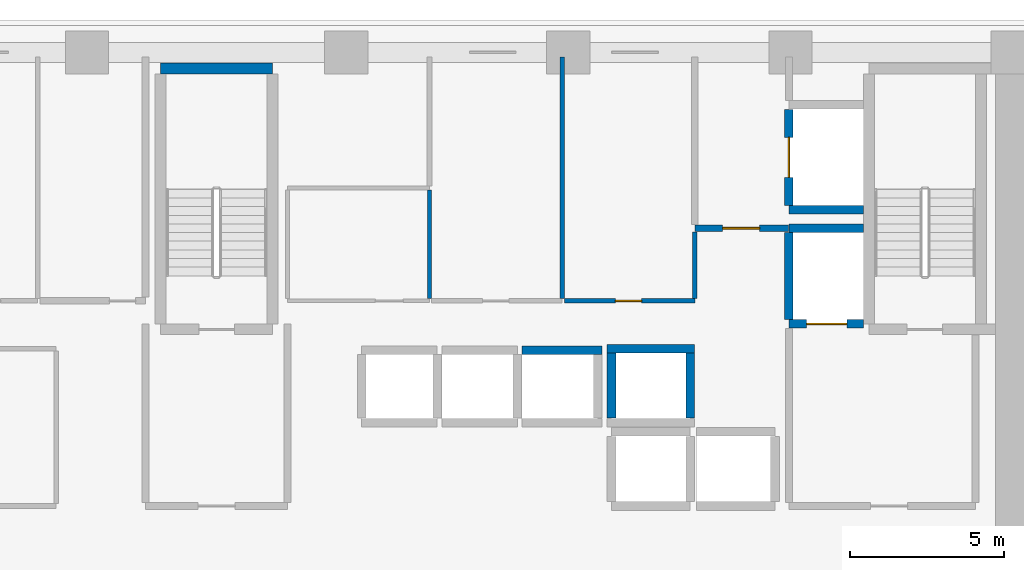
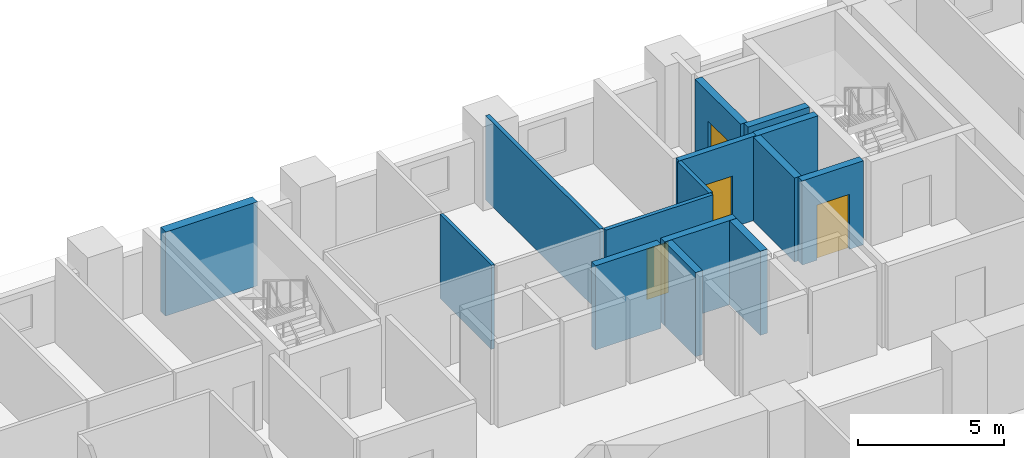
# One storey, part 8 of 15: 15 walls, 4 doors, 4 openings.
"""IFC4 building model written with IfcOpenShell, lengths in metres."""

from ifc_helpers import new_model, si_unit, direction, frame, frame_2d, origin, place, context, subcontext, project, spatial, rectangle, extrude, material, layer, layer_set, type_object, element, fill, save


model = new_model("IFC4")

# Units and contexts
model_context = context("Model", 3, precision=1e-05, world=origin(), true_north=direction((0.0, 1.0)))
body_context = subcontext(model_context, "Body", "Model", "MODEL_VIEW")
ifc_project = project(units=[si_unit("LENGTHUNIT", "METRE"), si_unit("AREAUNIT", "SQUARE_METRE"), si_unit("VOLUMEUNIT", "CUBIC_METRE"), si_unit("PLANEANGLEUNIT", "RADIAN"), si_unit("MASSUNIT", "GRAM", prefix="KILO")], contexts=[model_context])

# Site, building, storey
site_placement = place(None, origin())
site = spatial("IfcSite", under=ifc_project, at=site_placement, CompositionType="ELEMENT")
building_placement = place(site_placement, origin())
building = spatial("IfcBuilding", under=site, at=building_placement, Name="Kaelvorn Grand Hotel", CompositionType="ELEMENT")
storey_placement = place(building_placement, frame((0.0, 0.0, 72.64990234375)))
storey = spatial("IfcBuildingStorey", under=building, at=storey_placement, Name="L16", CompositionType="ELEMENT", Elevation=72.64990234375)

# Walls
ifc_material_1 = material(Name="Moisture-Resistant Tile & Stud Board")
ifc_layer_1 = layer(ifc_material_1, 0.125)
ifc_layer_set_1 = layer_set([ifc_layer_1], Name="Moisture-Resistant Tile & Stud Board")
wall_type_1 = type_object("IfcWallType", Name="WL-PART-125-WET", PredefinedType="PARTITIONING", material=ifc_layer_set_1)
wall_1_placement = place(storey_placement, frame((48.89990234375, 41.017578125, 0.0), z_axis=(0.0, 0.0, 1.0), x_axis=(0.0, 1.0, 0.0)))
element("IfcWall", 1, at=wall_1_placement, inside=storey, type_object=wall_type_1, Name="L16 Accessible WC E Partition", PredefinedType="PARTITIONING", context=body_context, shape_type="SweptSolid", body=[
    extrude(rectangle(XDim=3.514892578125, YDim=0.125, at=frame_2d((1.75732421875, 0.0))), origin(), (0.0, 0.0, 1.0), 3.510009765625),
])
ifc_material_2 = material(Name="Acoustic Gypsum & Stud Partition")
ifc_layer_2 = layer(ifc_material_2, 0.14990234375)
ifc_layer_set_2 = layer_set([ifc_layer_2], Name="Acoustic Gypsum & Stud Partition")
wall_type_2 = type_object("IfcWallType", Name="WL-PART-150-EI60", PredefinedType="PARTITIONING", material=ifc_layer_set_2)
wall_2_placement = place(storey_placement, frame((53.199951171875, 41.030029296875, 0.0), z_axis=(0.0, 0.0, 1.0), x_axis=(0.0, 1.0, 0.0)))
element("IfcWall", 2, at=wall_2_placement, inside=storey, type_object=wall_type_2, Name="L16 Minibar & Glassware Store E Partition", PredefinedType="PARTITIONING", context=body_context, shape_type="SweptSolid", body=[
    extrude(rectangle(XDim=7.820068359375, YDim=0.14990234375, at=frame_2d((3.91015625, 0.0))), origin(), (0.0, 0.0, 1.0), 3.510009765625),
])

# Wall, opening, door
wall_3_placement = place(storey_placement, frame((53.280029296875, 40.949951171875, 0.0), z_axis=(0.0, 0.0, 1.0), x_axis=(1.0, 0.0, 0.0)))
wall_3 = element("IfcWall", 3, at=wall_3_placement, inside=storey, type_object=wall_type_2, Name="L16 Floor IT & Comms Room S Partition", PredefinedType="PARTITIONING", context=body_context, shape_type="SweptSolid", body=[
    extrude(rectangle(XDim=4.219970703125, YDim=0.14990234375, at=frame_2d((2.10986328125, 0.0))), origin(), (0.0, 0.0, 1.0), 3.510009765625),
])
opening_1_placement = place(wall_3_placement, frame((1.64501953125, 0.0, 0.0)))
opening_1 = element("IfcOpeningElement", 4, at=opening_1_placement, cuts=wall_3, Name="Opening DI7", PredefinedType="OPENING", context=body_context, shape_type="SweptSolid", body=[
    extrude(rectangle(XDim=0.85009765625, YDim=2.10009765625, at=frame_2d((0.425048828125, 1.050048828125))), frame((0.0, 0.0849609375, 0.0), z_axis=(0.0, -1.0, 0.0), x_axis=(1.0, 0.0, 0.0)), (0.0, 0.0, 1.0), 0.169921875),
])
ifc_material_3 = material(Name="Powder-Coated Steel Leaf", Category="steel")
door_type_1 = type_object("IfcDoorType", Name="DR-INT-RISER-850x2100", OperationType="NOTDEFINED", PredefinedType="DOOR", material=ifc_material_3)
door_1_placement = place(opening_1_placement, origin())
door_1 = element("IfcDoor", 5, at=door_1_placement, inside=storey, type_object=door_type_1, Name="L16 Floor IT & Comms Room Door", OperationType="SINGLE_SWING_RIGHT", OverallHeight=2.10009765625, OverallWidth=0.85009765625, PredefinedType="DOOR", context=body_context, shape_type="SweptSolid", body=[
    extrude(rectangle(XDim=0.85009765625, YDim=2.10009765625, at=frame_2d((0.425048828125, 1.050048828125))), frame((0.0, 0.02490234375, 0.0), z_axis=(0.0, -1.0, 0.0), x_axis=(1.0, 0.0, 0.0)), (0.0, 0.0, 1.0), 0.050048828125),
])
fill(opening_1, door_1)

# Wall
wall_4_placement = place(storey_placement, frame((57.5, 41.030029296875, 0.0), z_axis=(0.0, 0.0, 1.0), x_axis=(0.0, 1.0, 0.0)))
element("IfcWall", 6, at=wall_4_placement, inside=storey, type_object=wall_type_2, Name="L16 Floor IT & Comms Room E Partition", PredefinedType="PARTITIONING", context=body_context, shape_type="SweptSolid", body=[
    extrude(rectangle(XDim=2.155029296875, YDim=0.14990234375, at=frame_2d((1.07763671875, 0.0))), origin(), (0.0, 0.0, 1.0), 3.510009765625),
])

# Wall, opening, door
ifc_material_4 = material(Name="Concrete C40/50", Category="concrete")
ifc_layer_3 = layer(ifc_material_4, 0.219970703125)
ifc_layer_set_3 = layer_set([ifc_layer_3], Name="Concrete C40/50")
wall_type_3 = type_object("IfcWallType", Name="WL-PART-220-EI120", PredefinedType="PARTITIONING", material=ifc_layer_set_3)
wall_5_placement = place(storey_placement, frame((57.5, 43.300048828125, 0.0), z_axis=(0.0, 0.0, 1.0), x_axis=(1.0, 0.0, 0.0)))
wall_5 = element("IfcWall", 7, at=wall_5_placement, inside=storey, type_object=wall_type_3, Name="L16 Service Lift Lobby S Partition", PredefinedType="PARTITIONING", context=body_context, shape_type="SweptSolid", body=[
    extrude(rectangle(XDim=3.0400390625, YDim=0.219970703125, at=frame_2d((1.52001953125, 0.0))), origin(), (0.0, 0.0, 1.0), 3.510009765625),
])
opening_2_placement = place(wall_5_placement, frame((0.89990234375, 0.0, 0.0)))
opening_2 = element("IfcOpeningElement", 8, at=opening_2_placement, cuts=wall_5, Name="Opening DI2", PredefinedType="OPENING", context=body_context, shape_type="SweptSolid", body=[
    extrude(rectangle(XDim=1.199951171875, YDim=2.14990234375, at=frame_2d((0.60009765625, 1.074951171875))), frame((0.0, 0.1201171875, 0.0), z_axis=(0.0, -1.0, 0.0), x_axis=(1.0, 0.0, 0.0)), (0.0, 0.0, 1.0), 0.239990234375),
])
ifc_material_5 = material(Name="Timber Veneer Fire Leaf", Category="wood")
door_type_2 = type_object("IfcDoorType", Name="DR-INT-FFLOB-1200x2150", OperationType="NOTDEFINED", PredefinedType="DOOR", material=ifc_material_5)
door_2_placement = place(opening_2_placement, origin())
door_2 = element("IfcDoor", 9, at=door_2_placement, inside=storey, type_object=door_type_2, Name="L16 Service Lift Lobby Door", OperationType="SINGLE_SWING_LEFT", OverallHeight=2.14990234375, OverallWidth=1.199951171875, PredefinedType="DOOR", context=body_context, shape_type="SweptSolid", body=[
    extrude(rectangle(XDim=1.199951171875, YDim=2.14990234375, at=frame_2d((0.60009765625, 1.074951171875))), frame((0.0, 0.02490234375, 0.0), z_axis=(0.0, -1.0, 0.0), x_axis=(1.0, 0.0, 0.0)), (0.0, 0.0, 1.0), 0.050048828125),
])
fill(opening_2, door_2)

# Walls
ifc_material_6 = material(Name="Concrete C50/60", Category="concrete")
ifc_layer_4 = layer(ifc_material_6, 0.280029296875)
ifc_layer_set_4 = layer_set([ifc_layer_4], Name="Concrete C50/60")
wall_type_4 = type_object("IfcWallType", Name="WL-SHAFT-280-C50", PredefinedType="SHEAR", material=ifc_layer_set_4)
wall_6_placement = place(storey_placement, frame((51.89990234375, 39.35009765625, 0.0), z_axis=(0.0, 0.0, 1.0), x_axis=(1.0, 0.0, 0.0)))
element("IfcWall", 10, at=wall_6_placement, inside=storey, type_object=wall_type_4, Name="L16 Lift SL-3 Shaft North Wall", PredefinedType="SHEAR", context=body_context, shape_type="SweptSolid", body=[
    extrude(rectangle(XDim=2.590087890625, YDim=0.280029296875, at=frame_2d((1.294921875, 0.0))), origin(), (0.0, 0.0, 1.0), 3.510009765625),
])
wall_7_placement = place(storey_placement, frame((54.659912109375, 39.39990234375, 0.0), z_axis=(0.0, 0.0, 1.0), x_axis=(1.0, 0.0, 0.0)))
element("IfcWall", 11, at=wall_7_placement, inside=storey, type_object=wall_type_4, Name="L16 Lift OL-3 Shaft North Wall", PredefinedType="SHEAR", context=body_context, shape_type="SweptSolid", body=[
    extrude(rectangle(XDim=2.830078125, YDim=0.280029296875, at=frame_2d((1.4150390625, 0.0))), origin(), (0.0, 0.0, 1.0), 3.510009765625),
])
for number, where, z_axis, x_axis, name in (
    (12, (54.800048828125, 37.14501953125, 0.0), (0.0, 0.0, 1.0), (0.0, 1.0, 0.0), "L16 Lift OL-3 Shaft West Wall"),
    (13, (57.35009765625, 37.14501953125, 0.0), (0.0, 0.0, 1.0), (0.0, 1.0, 0.0), "L16 Lift OL-3 Shaft East Wall"),
):
    element("IfcWall", number, at=place(storey_placement, frame(where, z_axis=z_axis, x_axis=x_axis)), inside=storey, type_object=wall_type_4, Name=name, PredefinedType="SHEAR", context=body_context, shape_type="SweptSolid", body=[
        extrude(rectangle(XDim=2.10986328125, YDim=0.280029296875, at=frame_2d((1.054931640625, 0.0))), origin(), (0.0, 0.0, 1.0), 3.510009765625),
    ])

# Wall, opening, door
wall_8_placement = place(storey_placement, frame((60.550048828125, 40.199951171875, 0.0), z_axis=(0.0, 0.0, 1.0), x_axis=(1.0, 0.0, 0.0)))
wall_8 = element("IfcWall", 14, at=wall_8_placement, inside=storey, type_object=wall_type_4, Name="L16 Lift FFL2 Shaft South Wall", PredefinedType="SHEAR", context=body_context, shape_type="SweptSolid", body=[
    extrude(rectangle(XDim=2.4150390625, YDim=0.280029296875, at=frame_2d((1.20751953125, 0.0))), origin(), (0.0, 0.0, 1.0), 3.510009765625),
])
opening_3_placement = place(wall_8_placement, frame((0.574951171875, 0.0, 0.0)))
opening_3 = element("IfcOpeningElement", 15, at=opening_3_placement, cuts=wall_8, Name="Opening LD-FFL2", PredefinedType="OPENING", context=body_context, shape_type="SweptSolid", body=[
    extrude(rectangle(XDim=1.300048828125, YDim=2.300048828125, at=frame_2d((0.64990234375, 1.14990234375))), frame((0.0, 0.14990234375, 0.0), z_axis=(0.0, -1.0, 0.0), x_axis=(1.0, 0.0, 0.0)), (0.0, 0.0, 1.0), 0.300048828125),
])
ifc_material_7 = material(Name="Stainless Steel", Category="steel")
door_type_3 = type_object("IfcDoorType", Name="DR-LIFT-SERV-1300x2300", OperationType="DOUBLE_DOOR_SLIDING", PredefinedType="DOOR", material=ifc_material_7)
door_3_placement = place(opening_3_placement, origin())
door_3 = element("IfcDoor", 16, at=door_3_placement, inside=storey, type_object=door_type_3, Name="L16 Lift FFL2 Sliding Landing Door LD-FFL2", OperationType="DOUBLE_DOOR_SLIDING", OverallHeight=2.300048828125, OverallWidth=1.300048828125, PredefinedType="DOOR", context=body_context, shape_type="SweptSolid", body=[
    extrude(rectangle(XDim=1.300048828125, YDim=2.300048828125, at=frame_2d((0.64990234375, 1.14990234375))), frame((0.0, 0.02490234375, 0.0), z_axis=(0.0, -1.0, 0.0), x_axis=(1.0, 0.0, 0.0)), (0.0, 0.0, 1.0), 0.050048828125),
])
fill(opening_3, door_3)

# Walls
wall_9_placement = place(storey_placement, frame((60.550048828125, 43.300048828125, 0.0), z_axis=(0.0, 0.0, 1.0), x_axis=(1.0, 0.0, 0.0)))
element("IfcWall", 17, at=wall_9_placement, inside=storey, type_object=wall_type_4, Name="L16 Lift FFL2 Shaft North Wall", PredefinedType="SHEAR", context=body_context, shape_type="SweptSolid", body=[
    extrude(rectangle(XDim=2.4150390625, YDim=0.280029296875, at=frame_2d((1.20751953125, 0.0))), origin(), (0.0, 0.0, 1.0), 3.510009765625),
])
wall_10_placement = place(storey_placement, frame((60.550048828125, 40.344970703125, 0.0), z_axis=(0.0, 0.0, 1.0), x_axis=(0.0, 1.0, 0.0)))
element("IfcWall", 18, at=wall_10_placement, inside=storey, type_object=wall_type_4, Name="L16 Lift FFL2 Shaft West Wall", PredefinedType="SHEAR", context=body_context, shape_type="SweptSolid", body=[
    extrude(rectangle(XDim=2.81005859375, YDim=0.280029296875, at=frame_2d((1.405029296875, 0.0))), origin(), (0.0, 0.0, 1.0), 3.510009765625),
])
wall_11_placement = place(storey_placement, frame((60.550048828125, 43.89990234375, 0.0), z_axis=(0.0, 0.0, 1.0), x_axis=(1.0, 0.0, 0.0)))
element("IfcWall", 19, at=wall_11_placement, inside=storey, type_object=wall_type_4, Name="L16 Lift SV1 Shaft South Wall", PredefinedType="SHEAR", context=body_context, shape_type="SweptSolid", body=[
    extrude(rectangle(XDim=2.4150390625, YDim=0.280029296875, at=frame_2d((1.20751953125, 0.0))), origin(), (0.0, 0.0, 1.0), 3.510009765625),
])

# Wall, opening, door
wall_12_placement = place(storey_placement, frame((60.550048828125, 44.044921875, 0.0), z_axis=(0.0, 0.0, 1.0), x_axis=(0.0, 1.0, 0.0)))
wall_12 = element("IfcWall", 20, at=wall_12_placement, inside=storey, type_object=wall_type_4, Name="L16 Lift SV1 Shaft West Wall", PredefinedType="SHEAR", context=body_context, shape_type="SweptSolid", body=[
    extrude(rectangle(XDim=3.110107421875, YDim=0.280029296875, at=frame_2d((1.55517578125, 0.0))), origin(), (0.0, 0.0, 1.0), 3.510009765625),
])
opening_4_placement = place(wall_12_placement, frame((0.905029296875, 0.0, 0.0)))
opening_4 = element("IfcOpeningElement", 21, at=opening_4_placement, cuts=wall_12, Name="Opening LD-SV1", PredefinedType="OPENING", context=body_context, shape_type="SweptSolid", body=[
    extrude(rectangle(XDim=1.300048828125, YDim=2.300048828125, at=frame_2d((0.64990234375, 1.14990234375))), frame((0.0, 0.14990234375, 0.0), z_axis=(0.0, -1.0, 0.0), x_axis=(1.0, 0.0, 0.0)), (0.0, 0.0, 1.0), 0.300048828125),
])
door_4_placement = place(opening_4_placement, origin())
door_4 = element("IfcDoor", 22, at=door_4_placement, inside=storey, type_object=door_type_3, Name="L16 Lift SV1 Sliding Landing Door LD-SV1", OperationType="DOUBLE_DOOR_SLIDING", OverallHeight=2.300048828125, OverallWidth=1.300048828125, PredefinedType="DOOR", context=body_context, shape_type="SweptSolid", body=[
    extrude(rectangle(XDim=1.300048828125, YDim=2.300048828125, at=frame_2d((0.64990234375, 1.14990234375))), frame((0.0, 0.02490234375, 0.0), z_axis=(0.0, -1.0, 0.0), x_axis=(1.0, 0.0, 0.0)), (0.0, 0.0, 1.0), 0.050048828125),
])
fill(opening_4, door_4)

# Wall
ifc_material_8 = material(Name="Concrete C60/75", Category="concrete")
ifc_layer_5 = layer(ifc_material_8, 0.35009765625)
ifc_layer_set_5 = layer_set([ifc_layer_5], Name="Concrete C60/75")
wall_type_5 = type_object("IfcWallType", Name="WL-SHAFT-350-C60", PredefinedType="SHEAR", material=ifc_layer_set_5)
wall_13_placement = place(storey_placement, frame((40.18505859375, 48.47509765625, 0.0), z_axis=(0.0, 0.0, 1.0), x_axis=(1.0, 0.0, 0.0)))
element("IfcWall", 23, at=wall_13_placement, inside=storey, type_object=wall_type_5, Name="L16 ST2 Stair Shaft North Wall", PredefinedType="SHEAR", context=body_context, shape_type="SweptSolid", body=[
    extrude(rectangle(XDim=3.6298828125, YDim=0.35009765625, at=frame_2d((1.81494140625, 0.0))), origin(), (0.0, 0.0, 1.0), 3.510009765625),
])

save(model, "model.ifc")
